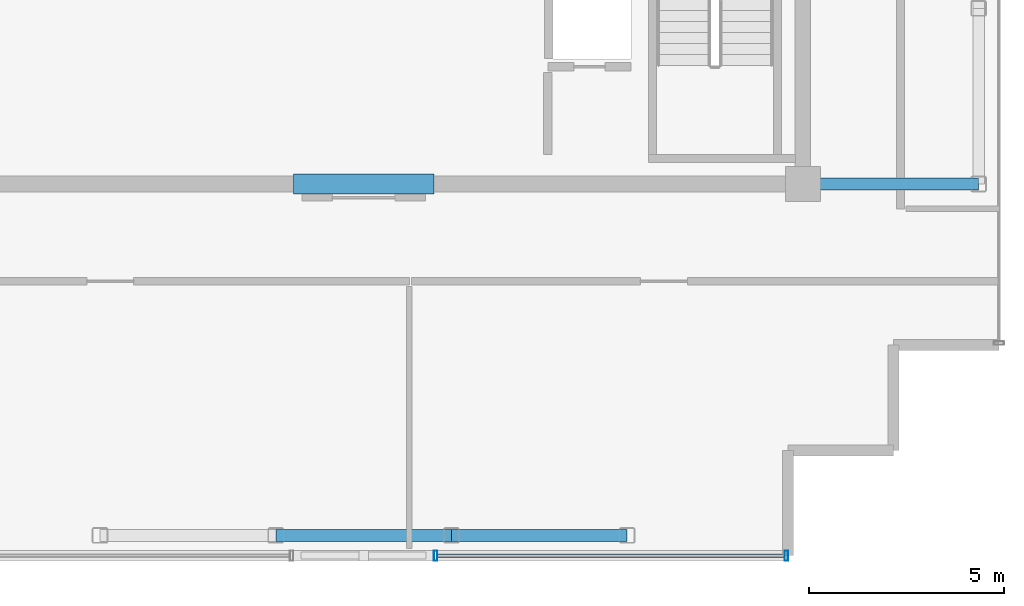
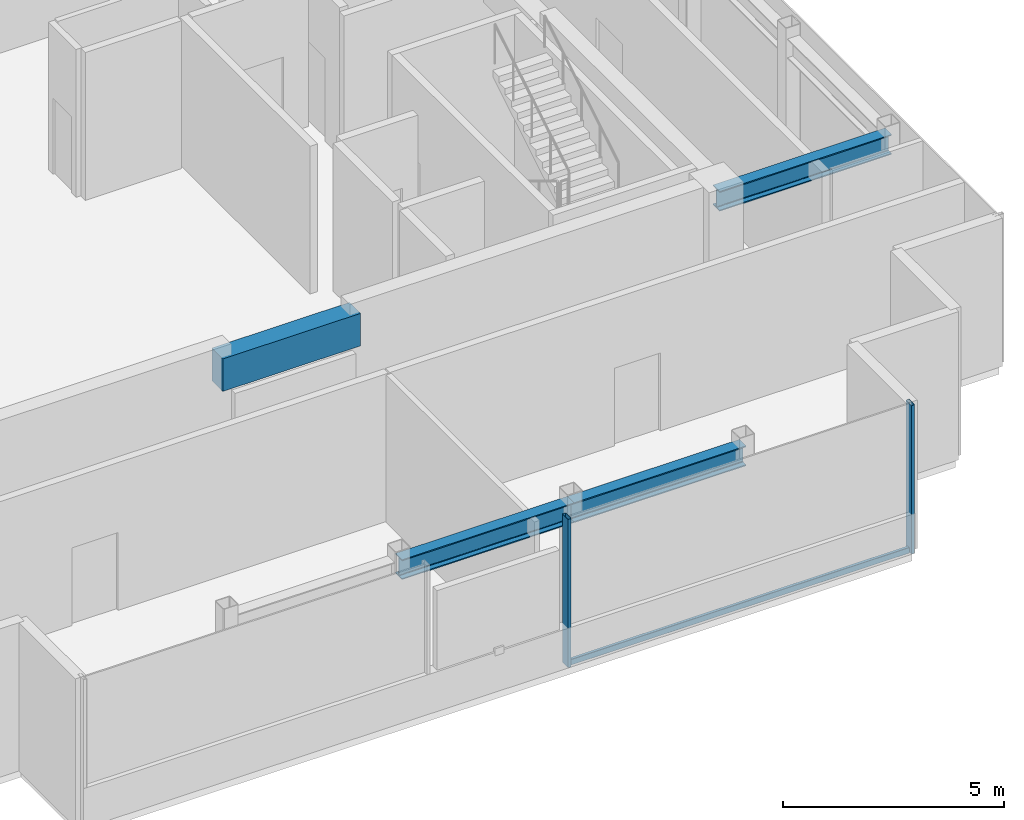
# One storey, part 3 of 14: 4 beams, 3 members, 1 element without a shape of its own.
"""IFC4 building model written with IfcOpenShell, lengths in metres."""

from ifc_helpers import new_model, si_unit, direction, frame, origin, origin_2d, place, context, subcontext, project, spatial, rectangle, hollow_rectangle, i_section, extrude, source, transform, mapped, material, layer, layer_set, material_profile, profile_set, type_object, element, aggregate, save


model = new_model("IFC4")

# Units and contexts
model_context = context("Model", 3, precision=1e-05, world=origin(), true_north=direction((0.0, 1.0)))
body_context = subcontext(model_context, "Body", "Model", "MODEL_VIEW")
ifc_project = project(units=[si_unit("LENGTHUNIT", "METRE"), si_unit("AREAUNIT", "SQUARE_METRE"), si_unit("VOLUMEUNIT", "CUBIC_METRE"), si_unit("PLANEANGLEUNIT", "RADIAN"), si_unit("MASSUNIT", "GRAM", prefix="KILO")], contexts=[model_context])

# Site, building, storey
site_placement = place(None, origin())
site = spatial("IfcSite", under=ifc_project, at=site_placement, CompositionType="ELEMENT")
building_placement = place(site_placement, origin())
building = spatial("IfcBuilding", under=site, at=building_placement, Name="Nefas-Gora Pilgrimage Tower", CompositionType="ELEMENT")
storey_placement = place(building_placement, frame((0.0, 0.0, 363.0)))
storey = spatial("IfcBuildingStorey", under=building, at=storey_placement, Name="L91", CompositionType="ELEMENT", Elevation=363.0)

# Beams
ifc_material_1 = material(Name="Concrete C50/60", Category="concrete")
ifc_material_profile_1 = material_profile(ifc_material_1, rectangle(XDim=0.5, YDim=0.89990234375, at=origin_2d()), Name="RC 500x900")
ifc_profile_set_1 = profile_set([ifc_material_profile_1], Name="Concrete C50/60")
beam_type_1 = type_object("IfcBeamType", Name="BM-LIN-RC900", PredefinedType="LINTEL", material=ifc_profile_set_1)
shared_shape_1 = source(origin(), body_context, "Body", "SweptSolid", [
    extrude(rectangle(XDim=0.5, YDim=0.89990234375, at=origin_2d()), origin(), (0.0, 0.0, 1.0), 3.60009765625),
])
beam_1_placement = place(storey_placement, frame((-1.800048828125, -9.0, 3.64990234375), z_axis=(1.0, 0.0, 0.0), x_axis=(0.0, 1.0, 0.0)))
element("IfcBeam", 1, at=beam_1_placement, inside=storey, type_object=beam_type_1, Name="L91 Core Coupling Lintel Beam S", PredefinedType="LINTEL", context=body_context, shape_type="MappedRepresentation", body=[
    mapped(shared_shape_1, transform((0.0, 0.0, 0.0), x_axis=(1.0, 0.0, 0.0), y_axis=(0.0, 1.0, 0.0), z_axis=(0.0, 0.0, 1.0), scale=1.0)),
])
ifc_material_2 = material(Name="Steel S355", Category="steel")
ifc_material_profile_2 = material_profile(ifc_material_2, i_section(OverallWidth=0.300048828125, OverallDepth=0.550048828125, WebThickness=0.014892578125, FlangeThickness=0.029052734375, FilletRadius=0.027099609375, at=origin_2d()), Name="HEB 550")
ifc_profile_set_2 = profile_set([ifc_material_profile_2], Name="Steel S355")
beam_type_2 = type_object("IfcBeamType", Name="BM-SPN-HEB400", PredefinedType="SPANDREL", material=ifc_profile_set_2)
shared_shape_2 = source(origin(), body_context, "Body", "SweptSolid", [
    extrude(i_section(OverallWidth=0.300048828125, OverallDepth=0.550048828125, WebThickness=0.014892578125, FlangeThickness=0.029052734375, FilletRadius=0.027099609375, at=origin_2d()), origin(), (0.0, 0.0, 1.0), 4.5),
])
for number, where, z_axis, x_axis, name in (
    (2, (-2.25, -18.0, 3.824951171875), (1.0, 0.0, 0.0), (0.0, 1.0, 0.0), "L91 SP-04 beam"),
    (3, (2.25, -18.0, 3.824951171875), (1.0, 0.0, 0.0), (0.0, 1.0, 0.0), "L91 SP-04 beam"),
):
    element("IfcBeam", number, at=place(storey_placement, frame(where, z_axis=z_axis, x_axis=x_axis)), inside=storey, type_object=beam_type_2, Name=name, PredefinedType="SPANDREL", context=body_context, shape_type="MappedRepresentation", body=[
        mapped(shared_shape_2, transform((0.0, 0.0, 0.0), x_axis=(1.0, 0.0, 0.0), y_axis=(0.0, 1.0, 0.0), z_axis=(0.0, 0.0, 1.0), scale=1.0)),
    ])
ifc_material_profile_3 = material_profile(ifc_material_2, i_section(OverallWidth=0.300048828125, OverallDepth=0.550048828125, WebThickness=0.014892578125, FlangeThickness=0.029052734375, FilletRadius=0.027099609375, at=origin_2d()), Name="HEB 550")
ifc_profile_set_3 = profile_set([ifc_material_profile_3], Name="Steel S355")
beam_type_3 = type_object("IfcBeamType", Name="BM-GIR-HEB550", PredefinedType="BEAM", material=ifc_profile_set_3)
shared_shape_3 = source(origin(), body_context, "Body", "SweptSolid", [
    extrude(i_section(OverallWidth=0.300048828125, OverallDepth=0.550048828125, WebThickness=0.014892578125, FlangeThickness=0.029052734375, FilletRadius=0.027099609375, at=origin_2d()), origin(), (0.0, 0.0, 1.0), 4.5),
])
beam_2_placement = place(storey_placement, frame((11.25, -9.0, 3.824951171875), z_axis=(1.0, 0.0, 0.0), x_axis=(0.0, 1.0, 0.0)))
element("IfcBeam", 4, at=beam_2_placement, inside=storey, type_object=beam_type_3, Name="L91 G-05 beam", PredefinedType="BEAM", context=body_context, shape_type="MappedRepresentation", body=[
    mapped(shared_shape_3, transform((0.0, 0.0, 0.0), x_axis=(1.0, 0.0, 0.0), y_axis=(0.0, 1.0, 0.0), z_axis=(0.0, 0.0, 1.0), scale=1.0)),
])

# Curtain wall, members
ifc_material_3 = material(Name="Dark ceramic-fritted solar-control aluminium-glass curtain wall", Category="aluminium")
ifc_layer = layer(ifc_material_3, 0.219970703125)
ifc_layer_set = layer_set([ifc_layer], Name="Dark ceramic-fritted solar-control aluminium-glass curtain wall")
curtain_wall_type = type_object("IfcCurtainWallType", Name="CW-SYS-6", PredefinedType="NOTDEFINED", material=ifc_layer_set)
curtain_wall_placement = place(storey_placement, origin())
curtain_wall = element("IfcCurtainWall", 5, at=curtain_wall_placement, inside=storey, type_object=curtain_wall_type, Name="L91 Unitised Curtain Wall CW6", PredefinedType="NOTDEFINED")
ifc_material_4 = material(Name="Anodised architectural aluminium", Category="aluminium")
ifc_material_profile_4 = material_profile(ifc_material_4, hollow_rectangle(XDim=0.080078125, YDim=0.159912109375, WallThickness=0.00439453125, InnerFilletRadius=0.00439453125, OuterFilletRadius=0.009033203125, at=origin_2d()), Name="ALU TRANSOM 80x160")
ifc_profile_set_4 = profile_set([ifc_material_profile_4], Name="Anodised architectural aluminium")
member_type_1 = type_object("IfcMemberType", Name="CWM-TRN-6", PredefinedType="USERDEFINED", material=ifc_profile_set_4)
shared_shape_4 = source(origin(), body_context, "Body", "SweptSolid", [
    extrude(hollow_rectangle(XDim=0.080078125, YDim=0.159912109375, WallThickness=0.00439453125, InnerFilletRadius=0.00439453125, OuterFilletRadius=0.009033203125, at=origin_2d()), origin(), (0.0, 0.0, 1.0), 8.89013671875),
])
member_1_placement = place(storey_placement, frame((1.889892578125, -18.52001953125, 0.050048828125), z_axis=(1.0, 0.0, 0.0), x_axis=(0.0, 1.0, 0.0)))
member_1 = element("IfcMember", 6, at=member_1_placement, type_object=member_type_1, Name="CW6 Spandrel Transom", ObjectType="TRANSOM", PredefinedType="USERDEFINED", context=body_context, shape_type="MappedRepresentation", body=[
    mapped(shared_shape_4, transform((0.0, 0.0, 0.0), x_axis=(1.0, 0.0, 0.0), y_axis=(0.0, 1.0, 0.0), z_axis=(0.0, 0.0, 1.0), scale=1.0)),
])
ifc_material_profile_5 = material_profile(ifc_material_4, hollow_rectangle(XDim=0.090087890625, YDim=0.260009765625, WallThickness=0.006103515625, InnerFilletRadius=0.006103515625, OuterFilletRadius=0.011962890625, at=origin_2d()), Name="ALU MULLION 90x260")
ifc_profile_set_5 = profile_set([ifc_material_profile_5], Name="Anodised architectural aluminium")
member_type_2 = type_object("IfcMemberType", Name="CWM-MUL-6", PredefinedType="MULLION", material=ifc_profile_set_5)
shared_shape_5 = source(origin(), body_context, "Body", "SweptSolid", [
    extrude(hollow_rectangle(XDim=0.090087890625, YDim=0.260009765625, WallThickness=0.006103515625, InnerFilletRadius=0.006103515625, OuterFilletRadius=0.011962890625, at=origin_2d()), origin(), (0.0, 0.0, 1.0), 4.10009765625),
])
member_2_placement = place(storey_placement, frame((1.844970703125, -18.52001953125, 0.0), z_axis=(0.0, 0.0, 1.0), x_axis=(1.0, 0.0, 0.0)))
member_2 = element("IfcMember", 7, at=member_2_placement, type_object=member_type_2, Name="CW6 Mullion 1", PredefinedType="MULLION", context=body_context, shape_type="MappedRepresentation", body=[
    mapped(shared_shape_5, transform((0.0, 0.0, 0.0), x_axis=(1.0, 0.0, 0.0), y_axis=(0.0, 1.0, 0.0), z_axis=(0.0, 0.0, 1.0), scale=1.0)),
])
member_3_placement = place(storey_placement, frame((10.824951171875, -18.52001953125, 0.0), z_axis=(0.0, 0.0, 1.0), x_axis=(1.0, 0.0, 0.0)))
member_3 = element("IfcMember", 8, at=member_3_placement, type_object=member_type_2, Name="CW6 Mullion 2", PredefinedType="MULLION", context=body_context, shape_type="MappedRepresentation", body=[
    mapped(shared_shape_5, transform((0.0, 0.0, 0.0), x_axis=(1.0, 0.0, 0.0), y_axis=(0.0, 1.0, 0.0), z_axis=(0.0, 0.0, 1.0), scale=1.0)),
])
aggregate(curtain_wall, [member_2, member_3, member_1])

save(model, "model.ifc")
